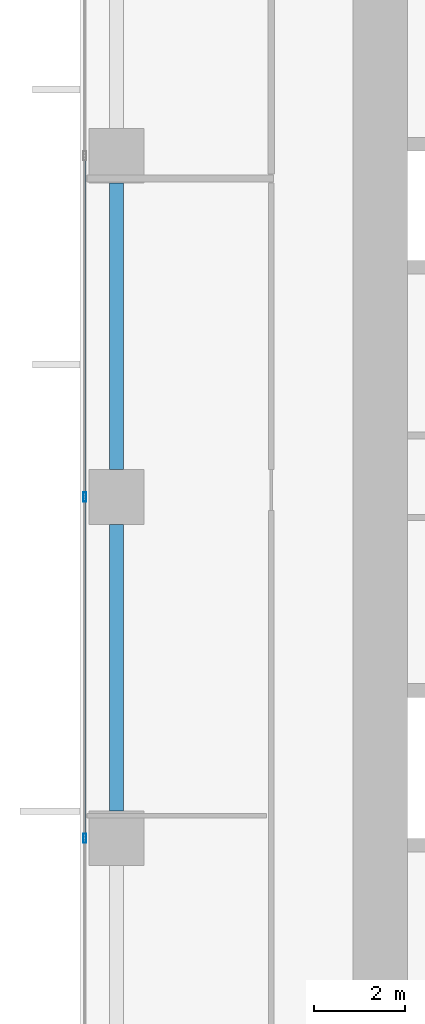
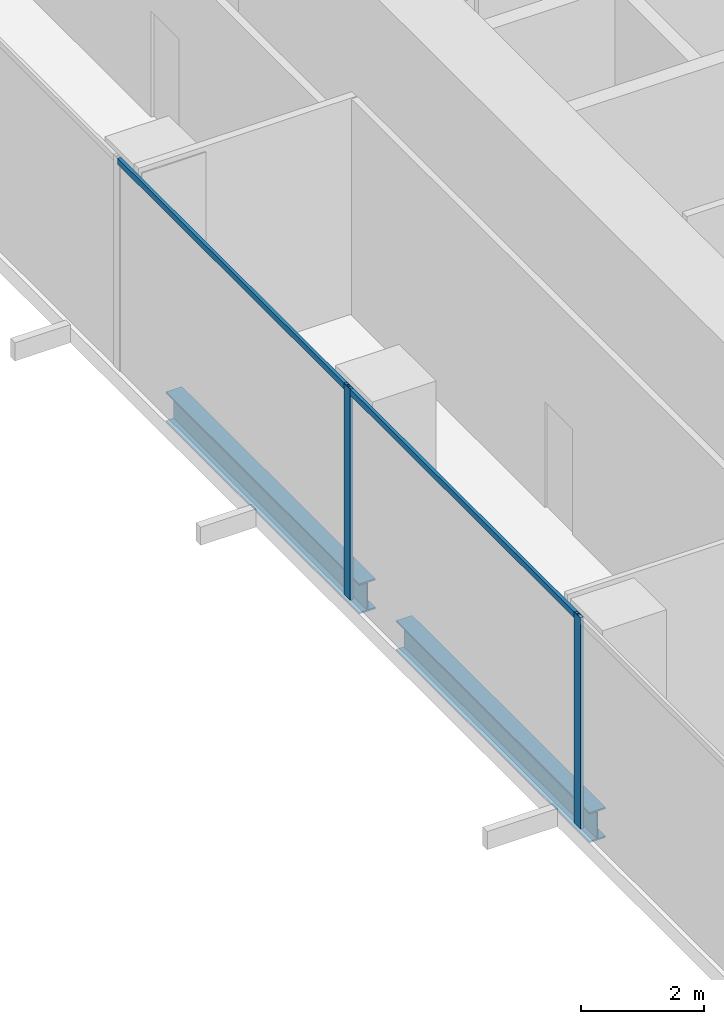
# One storey, part 5 of 32: 4 members, 2 beams, 1 element without a shape of its own.
"""IFC4 building model written with IfcOpenShell, lengths in metres."""

from ifc_helpers import new_model, si_unit, direction, frame, origin, origin_2d, place, context, subcontext, project, spatial, hollow_rectangle, i_section, extrude, source, transform, mapped, material, material_profile, profile_set, type_object, element, aggregate, save


model = new_model("IFC4")

# Units and contexts
model_context = context("Model", 3, precision=1e-05, world=origin(), true_north=direction((0.0, 1.0)))
body_context = subcontext(model_context, "Body", "Model", "MODEL_VIEW")
ifc_project = project(units=[si_unit("LENGTHUNIT", "METRE"), si_unit("AREAUNIT", "SQUARE_METRE"), si_unit("VOLUMEUNIT", "CUBIC_METRE"), si_unit("PLANEANGLEUNIT", "RADIAN"), si_unit("MASSUNIT", "GRAM", prefix="KILO")], contexts=[model_context])

# Site, building, storey
site_placement = place(None, origin())
site = spatial("IfcSite", under=ifc_project, at=site_placement, CompositionType="ELEMENT")
building_placement = place(site_placement, origin())
building = spatial("IfcBuilding", under=site, at=building_placement, Name="Khomas Fold Tower", CompositionType="ELEMENT")
storey_placement = place(building_placement, frame((0.0, 0.0, 42.0)))
storey = spatial("IfcBuildingStorey", under=building, at=storey_placement, Name="L08", CompositionType="ELEMENT", Elevation=42.0)

# Beams
ifc_material_1 = material(Name="Steel S355", Category="steel")
ifc_material_profile_1 = material_profile(ifc_material_1, i_section(OverallWidth=0.300048828125, OverallDepth=0.60009765625, WebThickness=0.015380859375, FlangeThickness=0.030029296875, at=origin_2d()), Name="HE 600 B")
ifc_profile_set_1 = profile_set([ifc_material_profile_1], Name="Steel S355")
beam_type = type_object("IfcBeamType", Name="HE 600 B spandrel SB1", PredefinedType="SPANDREL", material=ifc_profile_set_1)
shared_shape_1 = source(origin(), body_context, "Body", "SweptSolid", [
    extrude(i_section(OverallWidth=0.300048828125, OverallDepth=0.60009765625, WebThickness=0.015380859375, FlangeThickness=0.030029296875, at=origin_2d()), origin(), (0.0, 0.0, 1.0), 6.2998046875),
])
for number, where, z_axis, x_axis, name in (
    (1, (0.800048828125, 27.60009765625, -0.60009765625), (0.0, 1.0, 0.0), (-1.0, 0.0, 0.0), "SB1"),
    (2, (0.800048828125, 20.10009765625, -0.60009765625), (0.0, 1.0, 0.0), (-1.0, 0.0, 0.0), "SB1"),
):
    element("IfcBeam", number, at=place(storey_placement, frame(where, z_axis=z_axis, x_axis=x_axis)), inside=storey, type_object=beam_type, Name=name, PredefinedType="SPANDREL", context=body_context, shape_type="MappedRepresentation", body=[
        mapped(shared_shape_1, transform((0.0, 0.0, 0.0))),
    ])

# Curtain wall, members
ifc_material_2 = material(Name="Aluminium framed double glazing", Category="aluminium")
curtain_wall_type = type_object("IfcCurtainWallType", Name="SK-Unitised clear-glass wall, growing floors CW1", PredefinedType="NOTDEFINED", material=ifc_material_2)
curtain_wall_placement = place(storey_placement, origin())
curtain_wall = element("IfcCurtainWall", 3, at=curtain_wall_placement, inside=storey, type_object=curtain_wall_type, Name="CW1 run L08 09-0", PredefinedType="NOTDEFINED")
ifc_material_3 = material(Name="Aluminium", Category="aluminium")
ifc_material_profile_2 = material_profile(ifc_material_3, hollow_rectangle(XDim=0.06005859375, YDim=0.1201171875, WallThickness=0.00390625, at=origin_2d()), Name="SK-Unitised clear-glass wall, growing floors transom CW1-T")
ifc_profile_set_2 = profile_set([ifc_material_profile_2], Name="Aluminium")
member_type_1 = type_object("IfcMemberType", Name="SK-Unitised clear-glass wall, growing floors transom CW1-T", PredefinedType="USERDEFINED", material=ifc_profile_set_2)
shared_shape_2 = source(origin(), body_context, "Body", "SweptSolid", [
    extrude(hollow_rectangle(XDim=0.06005859375, YDim=0.1201171875, WallThickness=0.00390625, at=origin_2d()), origin(), (0.0, 0.0, 1.0), 7.43994140625),
])
member_1_placement = place(storey_placement, frame((0.10009765625, 34.469970703125, 4.139892578125), z_axis=(0.0, -1.0, 0.0), x_axis=(1.0, 0.0, 0.0)))
member_1 = element("IfcMember", 4, at=member_1_placement, type_object=member_type_1, Name="CW1 transom 4", ObjectType="TRANSOM", PredefinedType="USERDEFINED", context=body_context, shape_type="MappedRepresentation", body=[
    mapped(shared_shape_2, transform((0.0, 0.0, 0.0))),
])
member_2_placement = place(storey_placement, frame((0.10009765625, 26.969970703125, 4.139892578125), z_axis=(0.0, -1.0, 0.0), x_axis=(1.0, 0.0, 0.0)))
member_2 = element("IfcMember", 5, at=member_2_placement, type_object=member_type_1, Name="CW1 transom 5", ObjectType="TRANSOM", PredefinedType="USERDEFINED", context=body_context, shape_type="MappedRepresentation", body=[
    mapped(shared_shape_2, transform((0.0, 0.0, 0.0))),
])
ifc_material_4 = material(Name="Aluminium", Category="aluminium")
ifc_material_profile_3 = material_profile(ifc_material_4, hollow_rectangle(XDim=0.06005859375, YDim=0.199951171875, WallThickness=0.00390625, at=origin_2d()), Name="SK-Unitised clear-glass wall, growing floors mullion CW1-M")
ifc_profile_set_3 = profile_set([ifc_material_profile_3], Name="Aluminium")
member_type_2 = type_object("IfcMemberType", Name="SK-Unitised clear-glass wall, growing floors mullion CW1-M", PredefinedType="MULLION", material=ifc_profile_set_3)
shared_shape_3 = source(origin(), body_context, "Body", "SweptSolid", [
    extrude(hollow_rectangle(XDim=0.06005859375, YDim=0.199951171875, WallThickness=0.00390625, at=origin_2d()), origin(), (0.0, 0.0, 1.0), 4.199951171875),
])
member_3_placement = place(storey_placement, frame((0.10009765625, 27.0, 0.0), z_axis=(0.0, 0.0, 1.0), x_axis=(1.0, 0.0, 0.0)))
member_3 = element("IfcMember", 6, at=member_3_placement, type_object=member_type_2, Name="CW1 mullion 5", PredefinedType="MULLION", context=body_context, shape_type="MappedRepresentation", body=[
    mapped(shared_shape_3, transform((0.0, 0.0, 0.0))),
])
member_4_placement = place(storey_placement, frame((0.10009765625, 19.5, 0.0), z_axis=(0.0, 0.0, 1.0), x_axis=(1.0, 0.0, 0.0)))
member_4 = element("IfcMember", 7, at=member_4_placement, type_object=member_type_2, Name="CW1 mullion 6", PredefinedType="MULLION", context=body_context, shape_type="MappedRepresentation", body=[
    mapped(shared_shape_3, transform((0.0, 0.0, 0.0))),
])
aggregate(curtain_wall, [member_3, member_4, member_1, member_2])

save(model, "model.ifc")
